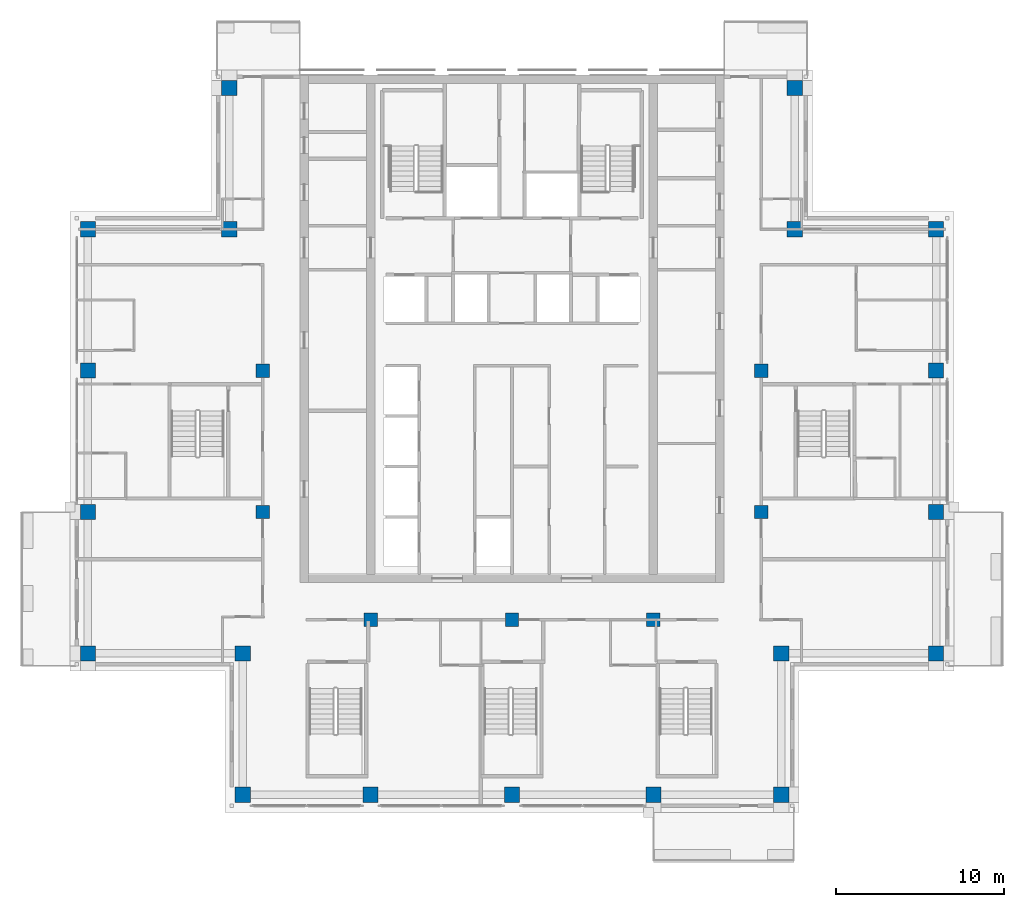
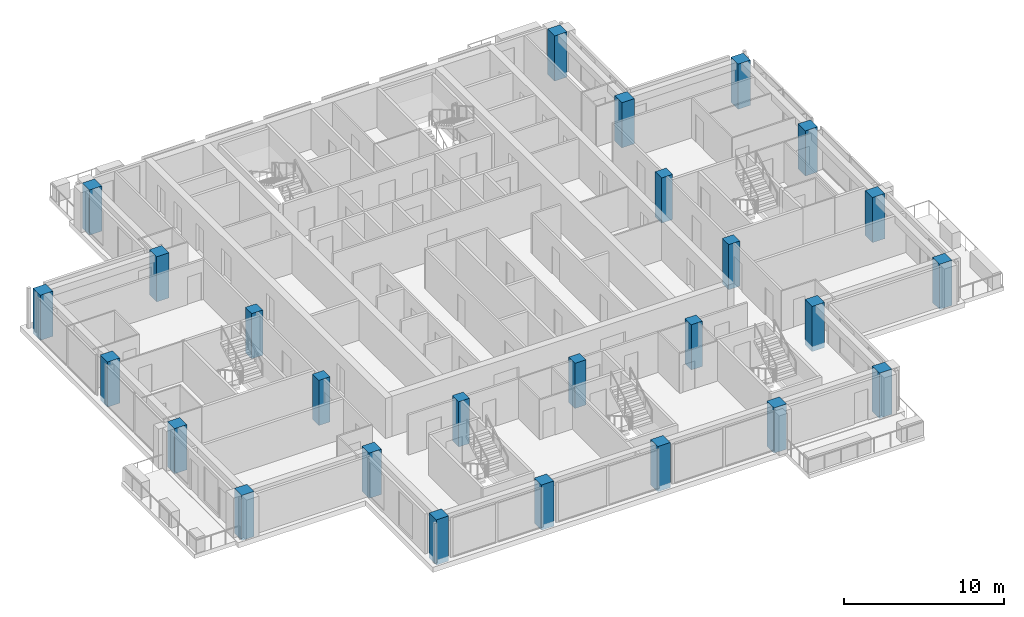
# One storey, part 1 of 18: 26 columns.
"""IFC4 building model written with IfcOpenShell, lengths in metres."""

from ifc_helpers import new_model, si_unit, direction, frame, origin, origin_2d, place, context, subcontext, project, spatial, rectangle, extrude, material, material_profile, profile_set, type_object, element, save


model = new_model("IFC4")

# Units and contexts
model_context = context("Model", 3, precision=1e-05, world=origin(), true_north=direction((0.0, 1.0)))
body_context = subcontext(model_context, "Body", "Model", "MODEL_VIEW")
ifc_project = project(units=[si_unit("LENGTHUNIT", "METRE"), si_unit("AREAUNIT", "SQUARE_METRE"), si_unit("VOLUMEUNIT", "CUBIC_METRE"), si_unit("PLANEANGLEUNIT", "RADIAN"), si_unit("MASSUNIT", "GRAM", prefix="KILO")], contexts=[model_context])

# Site, building, storey
site_placement = place(None, origin())
site = spatial("IfcSite", under=ifc_project, at=site_placement, CompositionType="ELEMENT")
building_placement = place(site_placement, origin())
building = spatial("IfcBuilding", under=site, at=building_placement, Name="Vermilion Ogive Tower", CompositionType="ELEMENT")
storey_placement = place(building_placement, frame((0.0, 0.0, 230.35009765625)))
storey = spatial("IfcBuildingStorey", under=building, at=storey_placement, Name="L60", CompositionType="ELEMENT", Elevation=230.35009765625)

# Columns
ifc_material_1 = material(Name="Concrete B60", Category="concrete")
ifc_material_profile_1 = material_profile(ifc_material_1, rectangle(XDim=0.89990234375, YDim=0.89990234375, at=origin_2d()), Name="900 x 900")
ifc_profile_set_1 = profile_set([ifc_material_profile_1], Name="Concrete B60")
column_type_1 = type_object("IfcColumnType", Name="Perimeter column 900 x 900 B60", PredefinedType="COLUMN", material=ifc_profile_set_1)
for number, where, z_axis, x_axis, name in (
    (1, (-16.0, -21.0, -0.400146484375), (0.0, 0.0, 1.0), (1.0, 0.0, 0.0), "COL-L60-P-0160-210"),
    (2, (-8.39990234375, -21.0, -0.400146484375), (0.0, 0.0, 1.0), (1.0, 0.0, 0.0), "COL-L60-P-0084-210"),
    (3, (0.0, -21.0, -0.400146484375), (0.0, 0.0, 1.0), (1.0, 0.0, 0.0), "COL-L60-P+0000-210"),
    (4, (8.39990234375, -21.0, -0.400146484375), (0.0, 0.0, 1.0), (1.0, 0.0, 0.0), "COL-L60-P+0084-210"),
    (5, (16.0, -21.0, -0.400146484375), (0.0, 0.0, 1.0), (1.0, 0.0, 0.0), "COL-L60-P+0160-210"),
    (6, (-25.199951171875, -12.60009765625, -0.400146484375), (0.0, 0.0, 1.0), (1.0, 0.0, 0.0), "COL-L60-P-0252-126"),
    (7, (-16.0, -12.60009765625, -0.400146484375), (0.0, 0.0, 1.0), (1.0, 0.0, 0.0), "COL-L60-P-0160-126"),
    (8, (16.0, -12.60009765625, -0.400146484375), (0.0, 0.0, 1.0), (1.0, 0.0, 0.0), "COL-L60-P+0160-126"),
    (9, (25.199951171875, -12.60009765625, -0.400146484375), (0.0, 0.0, 1.0), (1.0, 0.0, 0.0), "COL-L60-P+0252-126"),
    (10, (-25.199951171875, -4.199951171875, -0.400146484375), (0.0, 0.0, 1.0), (1.0, 0.0, 0.0), "COL-L60-P-0252-042"),
    (11, (25.199951171875, -4.199951171875, -0.400146484375), (0.0, 0.0, 1.0), (1.0, 0.0, 0.0), "COL-L60-P+0252-042"),
    (12, (-25.199951171875, 4.199951171875, -0.400146484375), (0.0, 0.0, 1.0), (1.0, 0.0, 0.0), "COL-L60-P-0252+042"),
    (13, (25.199951171875, 4.199951171875, -0.400146484375), (0.0, 0.0, 1.0), (1.0, 0.0, 0.0), "COL-L60-P+0252+042"),
    (14, (-25.199951171875, 12.60009765625, -0.400146484375), (0.0, 0.0, 1.0), (1.0, 0.0, 0.0), "COL-L60-P-0252+126"),
    (15, (-16.800048828125, 12.60009765625, -0.400146484375), (0.0, 0.0, 1.0), (1.0, 0.0, 0.0), "COL-L60-P-0168+126"),
    (16, (16.800048828125, 12.60009765625, -0.400146484375), (0.0, 0.0, 1.0), (1.0, 0.0, 0.0), "COL-L60-P+0168+126"),
    (17, (25.199951171875, 12.60009765625, -0.400146484375), (0.0, 0.0, 1.0), (1.0, 0.0, 0.0), "COL-L60-P+0252+126"),
    (18, (-16.800048828125, 21.0, -0.400146484375), (0.0, 0.0, 1.0), (1.0, 0.0, 0.0), "COL-L60-P-0168+210"),
    (19, (16.800048828125, 21.0, -0.400146484375), (0.0, 0.0, 1.0), (1.0, 0.0, 0.0), "COL-L60-P+0168+210"),
):
    element("IfcColumn", number, at=place(storey_placement, frame(where, z_axis=z_axis, x_axis=x_axis)), inside=storey, type_object=column_type_1, Name=name, PredefinedType="COLUMN", context=body_context, shape_type="SweptSolid", body=[
        extrude(rectangle(XDim=0.89990234375, YDim=0.89990234375, at=origin_2d()), origin(), (0.0, 0.0, 1.0), 3.449951171875),
    ])
ifc_material_2 = material(Name="Concrete B60", Category="concrete")
ifc_material_profile_2 = material_profile(ifc_material_2, rectangle(XDim=0.800048828125, YDim=0.800048828125, at=origin_2d()), Name="800 x 800")
ifc_profile_set_2 = profile_set([ifc_material_profile_2], Name="Concrete B60")
column_type_2 = type_object("IfcColumnType", Name="Ring column 800 x 800 B60", PredefinedType="COLUMN", material=ifc_profile_set_2)
for number, where, z_axis, x_axis, name in (
    (20, (-8.39990234375, -10.60009765625, -0.400146484375), (0.0, 0.0, 1.0), (1.0, 0.0, 0.0), "COL-L60-R-0084-106"),
    (21, (0.0, -10.60009765625, -0.400146484375), (0.0, 0.0, 1.0), (1.0, 0.0, 0.0), "COL-L60-R+0000-106"),
    (22, (8.39990234375, -10.60009765625, -0.400146484375), (0.0, 0.0, 1.0), (1.0, 0.0, 0.0), "COL-L60-R+0084-106"),
    (23, (-14.800048828125, -4.199951171875, -0.400146484375), (0.0, 0.0, 1.0), (1.0, 0.0, 0.0), "COL-L60-R-0148-042"),
    (24, (14.800048828125, -4.199951171875, -0.400146484375), (0.0, 0.0, 1.0), (1.0, 0.0, 0.0), "COL-L60-R+0148-042"),
    (25, (-14.800048828125, 4.199951171875, -0.400146484375), (0.0, 0.0, 1.0), (1.0, 0.0, 0.0), "COL-L60-R-0148+042"),
    (26, (14.800048828125, 4.199951171875, -0.400146484375), (0.0, 0.0, 1.0), (1.0, 0.0, 0.0), "COL-L60-R+0148+042"),
):
    element("IfcColumn", number, at=place(storey_placement, frame(where, z_axis=z_axis, x_axis=x_axis)), inside=storey, type_object=column_type_2, Name=name, PredefinedType="COLUMN", context=body_context, shape_type="SweptSolid", body=[
        extrude(rectangle(XDim=0.800048828125, YDim=0.800048828125, at=origin_2d()), origin(), (0.0, 0.0, 1.0), 3.449951171875),
    ])

save(model, "model.ifc")
